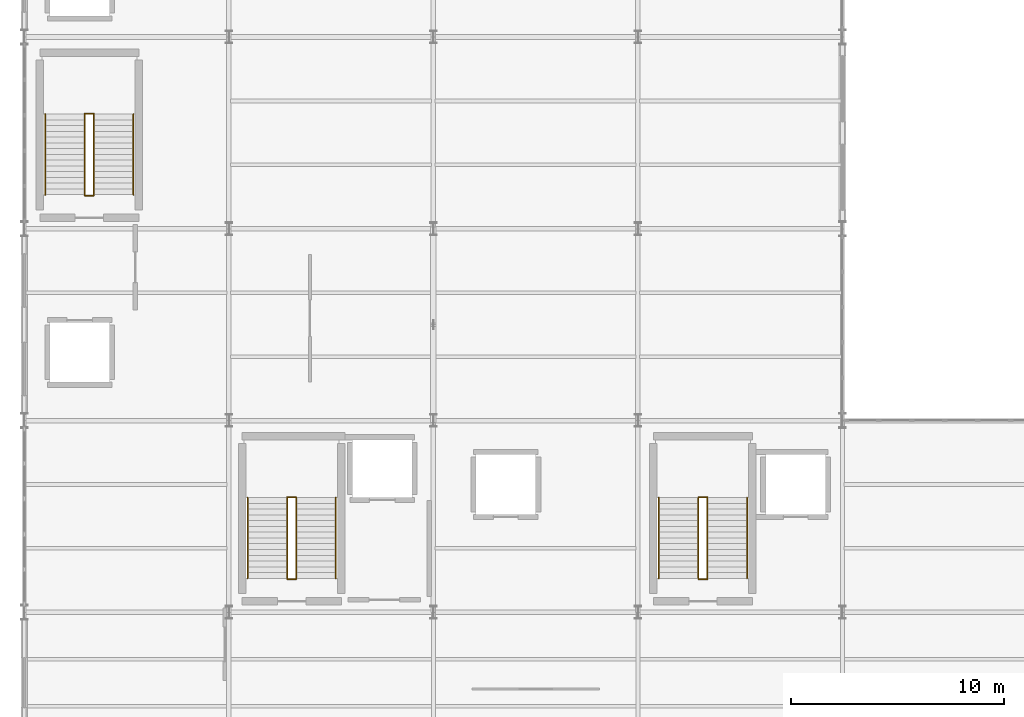
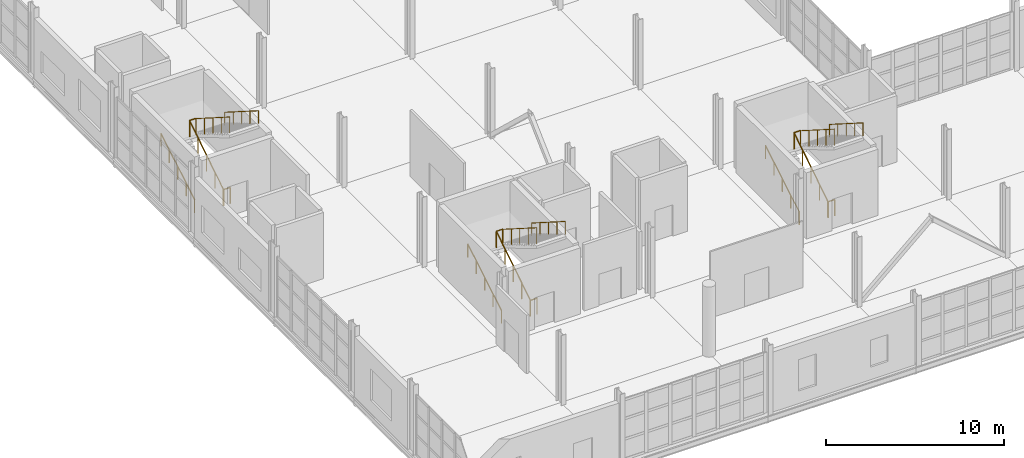
# One storey, part 114 of 120: 18 railings.
"""IFC4 building model written with IfcOpenShell, lengths in metres."""

from ifc_helpers import new_model, si_unit, direction, frame, origin, origin_2d, place, context, subcontext, project, spatial, circle, extrude, material, type_object, element, save


model = new_model("IFC4")

# Units and contexts
model_context = context("Model", 3, precision=1e-05, world=origin(), true_north=direction((0.0, 1.0)))
body_context = subcontext(model_context, "Body", "Model", "MODEL_VIEW")
ifc_project = project(units=[si_unit("LENGTHUNIT", "METRE"), si_unit("AREAUNIT", "SQUARE_METRE"), si_unit("VOLUMEUNIT", "CUBIC_METRE"), si_unit("PLANEANGLEUNIT", "RADIAN"), si_unit("MASSUNIT", "GRAM", prefix="KILO")], contexts=[model_context])

# Site, building, storey
site_placement = place(None, origin())
site = spatial("IfcSite", under=ifc_project, at=site_placement, CompositionType="ELEMENT")
building_placement = place(site_placement, origin())
building = spatial("IfcBuilding", under=site, at=building_placement, Name="Zarnetskaya Central Station", CompositionType="ELEMENT")
storey_placement = place(building_placement, frame((0.0, 0.0, 5.39990234375)))
storey = spatial("IfcBuildingStorey", under=building, at=storey_placement, Name="L01", CompositionType="ELEMENT", Elevation=5.39990234375)

# Railings
ifc_material = material(Name="Steel S355", Category="steel")
railing_type_1 = type_object("IfcRailingType", Name="RAIL-HAND-900", PredefinedType="HANDRAIL", material=ifc_material)
railing_1_placement = place(storey_placement, frame((10.47998046875, 14.800048828125, 0.16015625)))
element("IfcRailing", 1, at=railing_1_placement, inside=storey, type_object=railing_type_1, Name="Stair ST-C1 L01 flight 1 handrail", PredefinedType="HANDRAIL", context=body_context, shape_type="SweptSolid", body=[
    extrude(circle(Radius=0.02392578125, at=origin_2d()), frame((0.0, 0.0, 0.8759765625), z_axis=(0.0, 0.860294241299, 0.509797821089), x_axis=(-1.0, 0.0, 0.0)), (0.0, 0.0, 1.0), 4.393798828125),
    extrude(circle(Radius=0.02099609375, at=origin_2d()), origin(), (0.0, 0.0, 1.0), 0.851806640625),
    extrude(circle(Radius=0.02099609375, at=origin_2d()), frame((0.0, 0.945068359375, 0.56005859375)), (0.0, 0.0, 1.0), 0.851806640625),
    extrude(circle(Radius=0.02099609375, at=origin_2d()), frame((0.0, 1.89013671875, 1.1201171875)), (0.0, 0.0, 1.0), 0.851806640625),
    extrude(circle(Radius=0.02099609375, at=origin_2d()), frame((0.0, 2.8349609375, 1.679931640625)), (0.0, 0.0, 1.0), 0.851806640625),
    extrude(circle(Radius=0.02099609375, at=origin_2d()), frame((0.0, 3.780029296875, 2.239990234375)), (0.0, 0.0, 1.0), 0.851806640625),
])
railing_2_placement = place(storey_placement, frame((14.6201171875, 18.580078125, 2.400146484375)))
element("IfcRailing", 2, at=railing_2_placement, inside=storey, type_object=railing_type_1, Name="Stair ST-C1 L01 flight 2 handrail", PredefinedType="HANDRAIL", context=body_context, shape_type="SweptSolid", body=[
    extrude(circle(Radius=0.02392578125, at=origin_2d()), frame((0.0, 0.0, 0.8759765625), z_axis=(0.0, -0.844224564207, 0.535989631606), x_axis=(1.0, 0.0, 0.0)), (0.0, 0.0, 1.0), 4.4775390625),
    extrude(circle(Radius=0.02099609375, at=origin_2d()), origin(), (0.0, 0.0, 1.0), 0.851806640625),
    extrude(circle(Radius=0.02099609375, at=origin_2d()), frame((0.0, -0.945068359375, 0.60009765625)), (0.0, 0.0, 1.0), 0.851806640625),
    extrude(circle(Radius=0.02099609375, at=origin_2d()), frame((0.0, -1.89013671875, 1.199951171875)), (0.0, 0.0, 1.0), 0.851806640625),
    extrude(circle(Radius=0.02099609375, at=origin_2d()), frame((0.0, -2.8349609375, 1.7998046875)), (0.0, 0.0, 1.0), 0.851806640625),
    extrude(circle(Radius=0.02099609375, at=origin_2d()), frame((0.0, -3.780029296875, 2.39990234375)), (0.0, 0.0, 1.0), 0.851806640625),
])
railing_3_placement = place(storey_placement, frame((0.97998046875, 32.800048828125, 0.16015625)))
element("IfcRailing", 3, at=railing_3_placement, inside=storey, type_object=railing_type_1, Name="Stair ST-C2 L01 flight 1 handrail", PredefinedType="HANDRAIL", context=body_context, shape_type="SweptSolid", body=[
    extrude(circle(Radius=0.02392578125, at=origin_2d()), frame((0.0, 0.0, 0.8759765625), z_axis=(0.0, 0.860294241299, 0.509797821089), x_axis=(-1.0, 0.0, 0.0)), (0.0, 0.0, 1.0), 4.393798828125),
    extrude(circle(Radius=0.02099609375, at=origin_2d()), origin(), (0.0, 0.0, 1.0), 0.851806640625),
    extrude(circle(Radius=0.02099609375, at=origin_2d()), frame((0.0, 0.945068359375, 0.56005859375)), (0.0, 0.0, 1.0), 0.851806640625),
    extrude(circle(Radius=0.02099609375, at=origin_2d()), frame((0.0, 1.89013671875, 1.1201171875)), (0.0, 0.0, 1.0), 0.851806640625),
    extrude(circle(Radius=0.02099609375, at=origin_2d()), frame((0.0, 2.8349609375, 1.679931640625)), (0.0, 0.0, 1.0), 0.851806640625),
    extrude(circle(Radius=0.02099609375, at=origin_2d()), frame((0.0, 3.780029296875, 2.239990234375)), (0.0, 0.0, 1.0), 0.851806640625),
])
railing_4_placement = place(storey_placement, frame((5.1201171875, 36.580078125, 2.400146484375)))
element("IfcRailing", 4, at=railing_4_placement, inside=storey, type_object=railing_type_1, Name="Stair ST-C2 L01 flight 2 handrail", PredefinedType="HANDRAIL", context=body_context, shape_type="SweptSolid", body=[
    extrude(circle(Radius=0.02392578125, at=origin_2d()), frame((0.0, 0.0, 0.8759765625), z_axis=(0.0, -0.844224564207, 0.535989631606), x_axis=(1.0, 0.0, 0.0)), (0.0, 0.0, 1.0), 4.4775390625),
    extrude(circle(Radius=0.02099609375, at=origin_2d()), origin(), (0.0, 0.0, 1.0), 0.851806640625),
    extrude(circle(Radius=0.02099609375, at=origin_2d()), frame((0.0, -0.945068359375, 0.60009765625)), (0.0, 0.0, 1.0), 0.851806640625),
    extrude(circle(Radius=0.02099609375, at=origin_2d()), frame((0.0, -1.89013671875, 1.199951171875)), (0.0, 0.0, 1.0), 0.851806640625),
    extrude(circle(Radius=0.02099609375, at=origin_2d()), frame((0.0, -2.8349609375, 1.7998046875)), (0.0, 0.0, 1.0), 0.851806640625),
    extrude(circle(Radius=0.02099609375, at=origin_2d()), frame((0.0, -3.780029296875, 2.39990234375)), (0.0, 0.0, 1.0), 0.851806640625),
])
railing_5_placement = place(storey_placement, frame((29.780029296875, 14.800048828125, 0.16015625)))
element("IfcRailing", 5, at=railing_5_placement, inside=storey, type_object=railing_type_1, Name="Stair ST-C3 L01 flight 1 handrail", PredefinedType="HANDRAIL", context=body_context, shape_type="SweptSolid", body=[
    extrude(circle(Radius=0.02392578125, at=origin_2d()), frame((0.0, 0.0, 0.8759765625), z_axis=(0.0, 0.860294241299, 0.509797821089), x_axis=(-1.0, 0.0, 0.0)), (0.0, 0.0, 1.0), 4.393798828125),
    extrude(circle(Radius=0.02099609375, at=origin_2d()), origin(), (0.0, 0.0, 1.0), 0.851806640625),
    extrude(circle(Radius=0.02099609375, at=origin_2d()), frame((0.0, 0.945068359375, 0.56005859375)), (0.0, 0.0, 1.0), 0.851806640625),
    extrude(circle(Radius=0.02099609375, at=origin_2d()), frame((0.0, 1.89013671875, 1.1201171875)), (0.0, 0.0, 1.0), 0.851806640625),
    extrude(circle(Radius=0.02099609375, at=origin_2d()), frame((0.0, 2.8349609375, 1.679931640625)), (0.0, 0.0, 1.0), 0.851806640625),
    extrude(circle(Radius=0.02099609375, at=origin_2d()), frame((0.0, 3.780029296875, 2.239990234375)), (0.0, 0.0, 1.0), 0.851806640625),
])
railing_6_placement = place(storey_placement, frame((33.919921875, 18.580078125, 2.400146484375)))
element("IfcRailing", 6, at=railing_6_placement, inside=storey, type_object=railing_type_1, Name="Stair ST-C3 L01 flight 2 handrail", PredefinedType="HANDRAIL", context=body_context, shape_type="SweptSolid", body=[
    extrude(circle(Radius=0.02392578125, at=origin_2d()), frame((0.0, 0.0, 0.8759765625), z_axis=(0.0, -0.844224564207, 0.535989631606), x_axis=(1.0, 0.0, 0.0)), (0.0, 0.0, 1.0), 4.4775390625),
    extrude(circle(Radius=0.02099609375, at=origin_2d()), origin(), (0.0, 0.0, 1.0), 0.851806640625),
    extrude(circle(Radius=0.02099609375, at=origin_2d()), frame((0.0, -0.945068359375, 0.60009765625)), (0.0, 0.0, 1.0), 0.851806640625),
    extrude(circle(Radius=0.02099609375, at=origin_2d()), frame((0.0, -1.89013671875, 1.199951171875)), (0.0, 0.0, 1.0), 0.851806640625),
    extrude(circle(Radius=0.02099609375, at=origin_2d()), frame((0.0, -2.8349609375, 1.7998046875)), (0.0, 0.0, 1.0), 0.851806640625),
    extrude(circle(Radius=0.02099609375, at=origin_2d()), frame((0.0, -3.780029296875, 2.39990234375)), (0.0, 0.0, 1.0), 0.851806640625),
])
railing_type_2 = type_object("IfcRailingType", Name="RAIL-STAIR-GRD", PredefinedType="BALUSTRADE", material=ifc_material)
railing_7_placement = place(storey_placement, frame((12.340087890625, 14.760009765625, 0.0)))
element("IfcRailing", 7, at=railing_7_placement, inside=storey, type_object=railing_type_2, Name="Stair ST-C1 L01 floor well guard", PredefinedType="BALUSTRADE", context=body_context, shape_type="SweptSolid", body=[
    extrude(circle(Radius=0.02392578125, at=origin_2d()), frame((0.0, 0.0, 1.09619140625), z_axis=(1.0, 0.0, 0.0), x_axis=(0.0, 1.0, 0.0)), (0.0, 0.0, 1.0), 0.419921875),
    extrude(circle(Radius=0.02099609375, at=origin_2d()), origin(), (0.0, 0.0, 1.0), 1.072021484375),
    extrude(circle(Radius=0.02099609375, at=origin_2d()), frame((0.419921875, 0.0, 0.0)), (0.0, 0.0, 1.0), 1.072021484375),
])
railing_8_placement = place(storey_placement, frame((12.340087890625, 14.800048828125, 0.0)))
element("IfcRailing", 8, at=railing_8_placement, inside=storey, type_object=railing_type_2, Name="Stair ST-C1 L01 flight 1 well guard", PredefinedType="BALUSTRADE", context=body_context, shape_type="SweptSolid", body=[
    extrude(circle(Radius=0.02392578125, at=origin_2d()), frame((0.0, 0.0, 1.09619140625), z_axis=(0.0, 0.844199891302, 0.536028491338), x_axis=(-1.0, 0.0, 0.0)), (0.0, 0.0, 1.0), 4.4775390625),
    extrude(circle(Radius=0.02099609375, at=origin_2d()), origin(), (0.0, 0.0, 1.0), 1.072021484375),
    extrude(circle(Radius=0.02099609375, at=origin_2d()), frame((0.0, 0.945068359375, 0.60009765625)), (0.0, 0.0, 1.0), 1.072021484375),
    extrude(circle(Radius=0.02099609375, at=origin_2d()), frame((0.0, 1.89013671875, 1.2001953125)), (0.0, 0.0, 1.0), 1.072021484375),
    extrude(circle(Radius=0.02099609375, at=origin_2d()), frame((0.0, 2.8349609375, 1.800048828125)), (0.0, 0.0, 1.0), 1.072021484375),
    extrude(circle(Radius=0.02099609375, at=origin_2d()), frame((0.0, 3.780029296875, 2.400146484375)), (0.0, 0.0, 1.0), 1.072021484375),
])
railing_9_placement = place(storey_placement, frame((12.340087890625, 18.60009765625, 2.400146484375)))
element("IfcRailing", 9, at=railing_9_placement, inside=storey, type_object=railing_type_2, Name="Stair ST-C1 L01 half-landing well guard", PredefinedType="BALUSTRADE", context=body_context, shape_type="SweptSolid", body=[
    extrude(circle(Radius=0.02392578125, at=origin_2d()), frame((0.0, 0.0, 1.09619140625), z_axis=(1.0, 0.0, 0.0), x_axis=(0.0, 1.0, 0.0)), (0.0, 0.0, 1.0), 0.419921875),
    extrude(circle(Radius=0.02099609375, at=origin_2d()), origin(), (0.0, 0.0, 1.0), 1.072021484375),
    extrude(circle(Radius=0.02099609375, at=origin_2d()), frame((0.419921875, 0.0, 0.0)), (0.0, 0.0, 1.0), 1.072021484375),
])
railing_10_placement = place(storey_placement, frame((12.760009765625, 18.580078125, 2.400146484375)))
element("IfcRailing", 10, at=railing_10_placement, inside=storey, type_object=railing_type_2, Name="Stair ST-C1 L01 flight 2 well guard", PredefinedType="BALUSTRADE", context=body_context, shape_type="SweptSolid", body=[
    extrude(circle(Radius=0.02392578125, at=origin_2d()), frame((0.0, 0.0, 1.09619140625), z_axis=(0.0, -0.844224564207, 0.535989631606), x_axis=(1.0, 0.0, 0.0)), (0.0, 0.0, 1.0), 4.4775390625),
    extrude(circle(Radius=0.02099609375, at=origin_2d()), origin(), (0.0, 0.0, 1.0), 1.072021484375),
    extrude(circle(Radius=0.02099609375, at=origin_2d()), frame((0.0, -0.945068359375, 0.60009765625)), (0.0, 0.0, 1.0), 1.072021484375),
    extrude(circle(Radius=0.02099609375, at=origin_2d()), frame((0.0, -1.89013671875, 1.199951171875)), (0.0, 0.0, 1.0), 1.072021484375),
    extrude(circle(Radius=0.02099609375, at=origin_2d()), frame((0.0, -2.8349609375, 1.7998046875)), (0.0, 0.0, 1.0), 1.072021484375),
    extrude(circle(Radius=0.02099609375, at=origin_2d()), frame((0.0, -3.780029296875, 2.39990234375)), (0.0, 0.0, 1.0), 1.072021484375),
])
railing_11_placement = place(storey_placement, frame((2.840087890625, 32.760009765625, 0.0)))
element("IfcRailing", 11, at=railing_11_placement, inside=storey, type_object=railing_type_2, Name="Stair ST-C2 L01 floor well guard", PredefinedType="BALUSTRADE", context=body_context, shape_type="SweptSolid", body=[
    extrude(circle(Radius=0.02392578125, at=origin_2d()), frame((0.0, 0.0, 1.09619140625), z_axis=(1.0, 0.0, 0.0), x_axis=(0.0, 1.0, 0.0)), (0.0, 0.0, 1.0), 0.419921875),
    extrude(circle(Radius=0.02099609375, at=origin_2d()), origin(), (0.0, 0.0, 1.0), 1.072021484375),
    extrude(circle(Radius=0.02099609375, at=origin_2d()), frame((0.419921875, 0.0, 0.0)), (0.0, 0.0, 1.0), 1.072021484375),
])
railing_12_placement = place(storey_placement, frame((2.840087890625, 32.800048828125, 0.0)))
element("IfcRailing", 12, at=railing_12_placement, inside=storey, type_object=railing_type_2, Name="Stair ST-C2 L01 flight 1 well guard", PredefinedType="BALUSTRADE", context=body_context, shape_type="SweptSolid", body=[
    extrude(circle(Radius=0.02392578125, at=origin_2d()), frame((0.0, 0.0, 1.09619140625), z_axis=(0.0, 0.844199891302, 0.536028491338), x_axis=(-1.0, 0.0, 0.0)), (0.0, 0.0, 1.0), 4.4775390625),
    extrude(circle(Radius=0.02099609375, at=origin_2d()), origin(), (0.0, 0.0, 1.0), 1.072021484375),
    extrude(circle(Radius=0.02099609375, at=origin_2d()), frame((0.0, 0.945068359375, 0.60009765625)), (0.0, 0.0, 1.0), 1.072021484375),
    extrude(circle(Radius=0.02099609375, at=origin_2d()), frame((0.0, 1.89013671875, 1.2001953125)), (0.0, 0.0, 1.0), 1.072021484375),
    extrude(circle(Radius=0.02099609375, at=origin_2d()), frame((0.0, 2.8349609375, 1.800048828125)), (0.0, 0.0, 1.0), 1.072021484375),
    extrude(circle(Radius=0.02099609375, at=origin_2d()), frame((0.0, 3.780029296875, 2.400146484375)), (0.0, 0.0, 1.0), 1.072021484375),
])
railing_13_placement = place(storey_placement, frame((2.840087890625, 36.60009765625, 2.400146484375)))
element("IfcRailing", 13, at=railing_13_placement, inside=storey, type_object=railing_type_2, Name="Stair ST-C2 L01 half-landing well guard", PredefinedType="BALUSTRADE", context=body_context, shape_type="SweptSolid", body=[
    extrude(circle(Radius=0.02392578125, at=origin_2d()), frame((0.0, 0.0, 1.09619140625), z_axis=(1.0, 0.0, 0.0), x_axis=(0.0, 1.0, 0.0)), (0.0, 0.0, 1.0), 0.419921875),
    extrude(circle(Radius=0.02099609375, at=origin_2d()), origin(), (0.0, 0.0, 1.0), 1.072021484375),
    extrude(circle(Radius=0.02099609375, at=origin_2d()), frame((0.419921875, 0.0, 0.0)), (0.0, 0.0, 1.0), 1.072021484375),
])
railing_14_placement = place(storey_placement, frame((3.260009765625, 36.580078125, 2.400146484375)))
element("IfcRailing", 14, at=railing_14_placement, inside=storey, type_object=railing_type_2, Name="Stair ST-C2 L01 flight 2 well guard", PredefinedType="BALUSTRADE", context=body_context, shape_type="SweptSolid", body=[
    extrude(circle(Radius=0.02392578125, at=origin_2d()), frame((0.0, 0.0, 1.09619140625), z_axis=(0.0, -0.844224564207, 0.535989631606), x_axis=(1.0, 0.0, 0.0)), (0.0, 0.0, 1.0), 4.4775390625),
    extrude(circle(Radius=0.02099609375, at=origin_2d()), origin(), (0.0, 0.0, 1.0), 1.072021484375),
    extrude(circle(Radius=0.02099609375, at=origin_2d()), frame((0.0, -0.945068359375, 0.60009765625)), (0.0, 0.0, 1.0), 1.072021484375),
    extrude(circle(Radius=0.02099609375, at=origin_2d()), frame((0.0, -1.89013671875, 1.199951171875)), (0.0, 0.0, 1.0), 1.072021484375),
    extrude(circle(Radius=0.02099609375, at=origin_2d()), frame((0.0, -2.8349609375, 1.7998046875)), (0.0, 0.0, 1.0), 1.072021484375),
    extrude(circle(Radius=0.02099609375, at=origin_2d()), frame((0.0, -3.780029296875, 2.39990234375)), (0.0, 0.0, 1.0), 1.072021484375),
])
railing_15_placement = place(storey_placement, frame((31.639892578125, 14.760009765625, 0.0)))
element("IfcRailing", 15, at=railing_15_placement, inside=storey, type_object=railing_type_2, Name="Stair ST-C3 L01 floor well guard", PredefinedType="BALUSTRADE", context=body_context, shape_type="SweptSolid", body=[
    extrude(circle(Radius=0.02392578125, at=origin_2d()), frame((0.0, 0.0, 1.09619140625), z_axis=(1.0, 0.0, 0.0), x_axis=(0.0, 1.0, 0.0)), (0.0, 0.0, 1.0), 0.420166015625),
    extrude(circle(Radius=0.02099609375, at=origin_2d()), origin(), (0.0, 0.0, 1.0), 1.072021484375),
    extrude(circle(Radius=0.02099609375, at=origin_2d()), frame((0.420166015625, 0.0, 0.0)), (0.0, 0.0, 1.0), 1.072021484375),
])
railing_16_placement = place(storey_placement, frame((31.639892578125, 14.800048828125, 0.0)))
element("IfcRailing", 16, at=railing_16_placement, inside=storey, type_object=railing_type_2, Name="Stair ST-C3 L01 flight 1 well guard", PredefinedType="BALUSTRADE", context=body_context, shape_type="SweptSolid", body=[
    extrude(circle(Radius=0.02392578125, at=origin_2d()), frame((0.0, 0.0, 1.09619140625), z_axis=(0.0, 0.844199891302, 0.536028491338), x_axis=(-1.0, 0.0, 0.0)), (0.0, 0.0, 1.0), 4.4775390625),
    extrude(circle(Radius=0.02099609375, at=origin_2d()), origin(), (0.0, 0.0, 1.0), 1.072021484375),
    extrude(circle(Radius=0.02099609375, at=origin_2d()), frame((0.0, 0.945068359375, 0.60009765625)), (0.0, 0.0, 1.0), 1.072021484375),
    extrude(circle(Radius=0.02099609375, at=origin_2d()), frame((0.0, 1.89013671875, 1.2001953125)), (0.0, 0.0, 1.0), 1.072021484375),
    extrude(circle(Radius=0.02099609375, at=origin_2d()), frame((0.0, 2.8349609375, 1.800048828125)), (0.0, 0.0, 1.0), 1.072021484375),
    extrude(circle(Radius=0.02099609375, at=origin_2d()), frame((0.0, 3.780029296875, 2.400146484375)), (0.0, 0.0, 1.0), 1.072021484375),
])
railing_17_placement = place(storey_placement, frame((31.639892578125, 18.60009765625, 2.400146484375)))
element("IfcRailing", 17, at=railing_17_placement, inside=storey, type_object=railing_type_2, Name="Stair ST-C3 L01 half-landing well guard", PredefinedType="BALUSTRADE", context=body_context, shape_type="SweptSolid", body=[
    extrude(circle(Radius=0.02392578125, at=origin_2d()), frame((0.0, 0.0, 1.09619140625), z_axis=(1.0, 0.0, 0.0), x_axis=(0.0, 1.0, 0.0)), (0.0, 0.0, 1.0), 0.420166015625),
    extrude(circle(Radius=0.02099609375, at=origin_2d()), origin(), (0.0, 0.0, 1.0), 1.072021484375),
    extrude(circle(Radius=0.02099609375, at=origin_2d()), frame((0.420166015625, 0.0, 0.0)), (0.0, 0.0, 1.0), 1.072021484375),
])
railing_18_placement = place(storey_placement, frame((32.06005859375, 18.580078125, 2.400146484375)))
element("IfcRailing", 18, at=railing_18_placement, inside=storey, type_object=railing_type_2, Name="Stair ST-C3 L01 flight 2 well guard", PredefinedType="BALUSTRADE", context=body_context, shape_type="SweptSolid", body=[
    extrude(circle(Radius=0.02392578125, at=origin_2d()), frame((0.0, 0.0, 1.09619140625), z_axis=(0.0, -0.844224564207, 0.535989631606), x_axis=(1.0, 0.0, 0.0)), (0.0, 0.0, 1.0), 4.4775390625),
    extrude(circle(Radius=0.02099609375, at=origin_2d()), origin(), (0.0, 0.0, 1.0), 1.072021484375),
    extrude(circle(Radius=0.02099609375, at=origin_2d()), frame((0.0, -0.945068359375, 0.60009765625)), (0.0, 0.0, 1.0), 1.072021484375),
    extrude(circle(Radius=0.02099609375, at=origin_2d()), frame((0.0, -1.89013671875, 1.199951171875)), (0.0, 0.0, 1.0), 1.072021484375),
    extrude(circle(Radius=0.02099609375, at=origin_2d()), frame((0.0, -2.8349609375, 1.7998046875)), (0.0, 0.0, 1.0), 1.072021484375),
    extrude(circle(Radius=0.02099609375, at=origin_2d()), frame((0.0, -3.780029296875, 2.39990234375)), (0.0, 0.0, 1.0), 1.072021484375),
])

save(model, "model.ifc")
